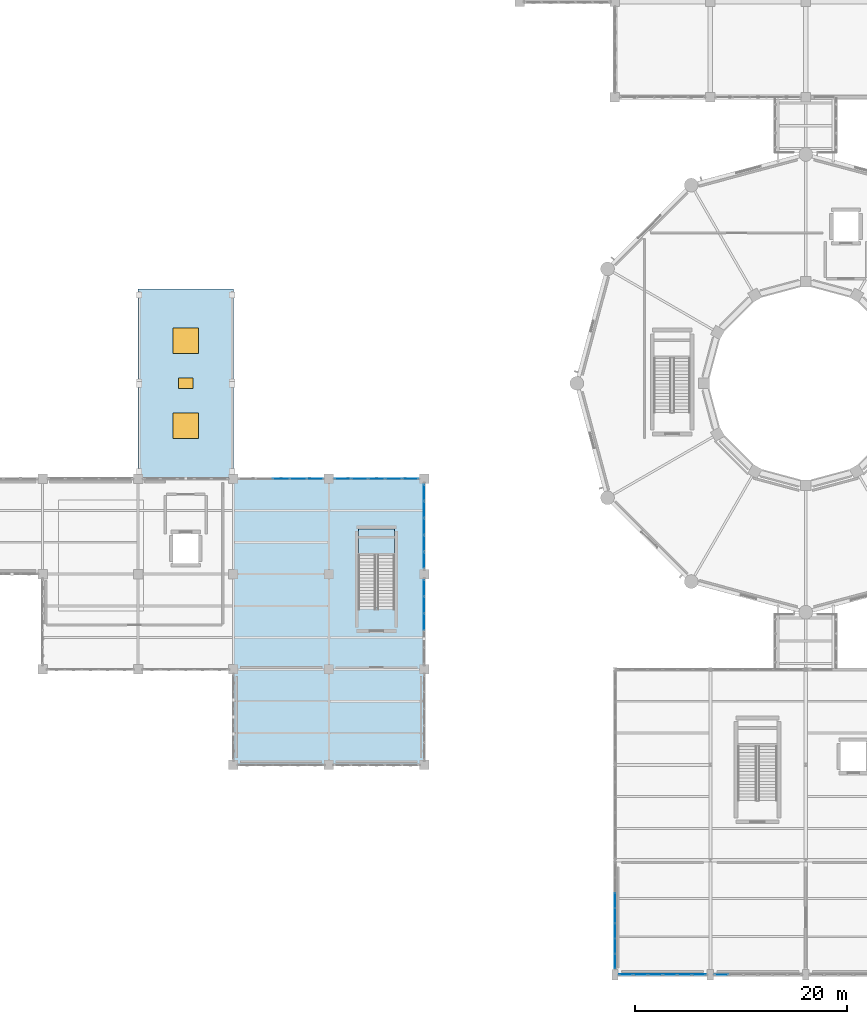
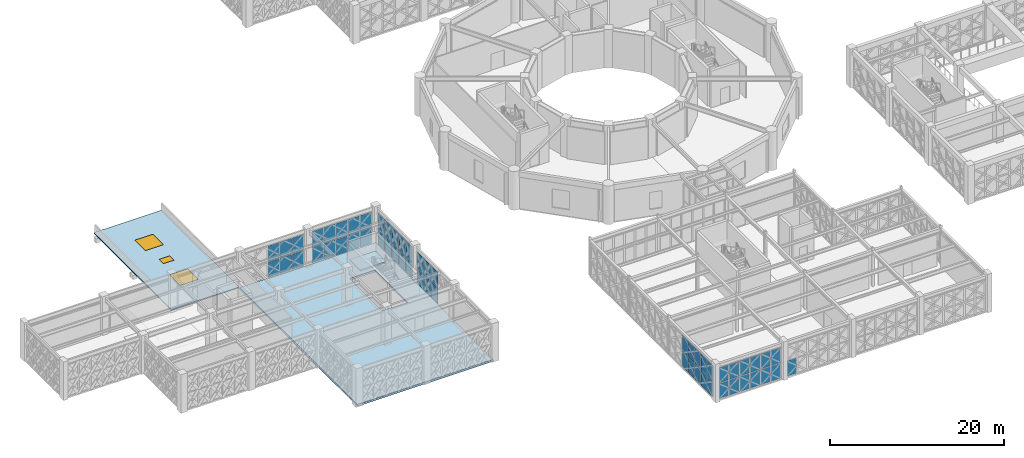
# One storey, part 119 of 155: 55 plates, 3 slabs, 2 windows, 1 door, 3 openings, 8 elements without a shape of their own.
"""IFC4 building model written with IfcOpenShell, lengths in metres."""

from ifc_helpers import new_model, si_unit, direction, frame, origin, origin_2d, place, context, subcontext, project, spatial, polyline, rectangle, outline, extrude, material, layer, layer_set, type_object, element, fill, aggregate, save


model = new_model("IFC4")

# Units and contexts
model_context = context("Model", 3, precision=1e-05, world=origin(), true_north=direction((0.0, 1.0)))
body_context = subcontext(model_context, "Body", "Model", "MODEL_VIEW")
ifc_project = project(units=[si_unit("LENGTHUNIT", "METRE"), si_unit("AREAUNIT", "SQUARE_METRE"), si_unit("VOLUMEUNIT", "CUBIC_METRE"), si_unit("PLANEANGLEUNIT", "RADIAN"), si_unit("MASSUNIT", "GRAM", prefix="KILO")], contexts=[model_context])

# Site, building, storey
site_placement = place(None, origin())
site = spatial("IfcSite", under=ifc_project, at=site_placement, CompositionType="ELEMENT")
building_placement = place(site_placement, origin())
building = spatial("IfcBuilding", under=site, at=building_placement, Name="Haizhuo Lancet Aquarium", CompositionType="ELEMENT")
storey_placement = place(building_placement, frame((0.0, 0.0, 10.800048828125)))
storey = spatial("IfcBuildingStorey", under=building, at=storey_placement, Name="L02", CompositionType="ELEMENT", Elevation=10.800048828125)

# Curtain wall, plates
ifc_material_1 = material(Name="Aluminium 6063-T6", Category="aluminium")
curtain_wall_type_1 = type_object("IfcCurtainWallType", Name="CWO-8010x4560", PredefinedType="NOTDEFINED", material=ifc_material_1)
curtain_wall_1_placement = place(storey_placement, origin())
curtain_wall_1 = element("IfcCurtainWall", 1, at=curtain_wall_1_placement, inside=storey, type_object=curtain_wall_type_1, Name="L02 curtain wall CW-V6-L02-217", PredefinedType="NOTDEFINED")
ifc_material_2 = material(Name="Laminated Low-E Glass", Category="glass")
ifc_layer_1 = layer(ifc_material_2, 0.028076171875)
ifc_layer_set_1 = layer_set([ifc_layer_1], Name="Laminated Low-E Glass")
plate_type_1 = type_object("IfcPlateType", Name="CW-PNL-1", PredefinedType="CURTAIN_PANEL", material=ifc_layer_set_1)
plate_1_placement = place(storey_placement, frame((-49.5, -9.0, 0.06494140625), z_axis=(0.0, 0.0, 1.0), x_axis=(1.0, 0.0, 0.0)))
plate_1 = element("IfcPlate", 2, at=plate_1_placement, type_object=plate_type_1, Name="CWO-80x45 panel 3.1", PredefinedType="CURTAIN_PANEL", context=body_context, shape_type="SweptSolid", body=[
    extrude(rectangle(XDim=1.537109375, YDim=0.028076171875, at=origin_2d()), origin(), (0.0, 0.0, 1.0), 2.181884765625),
])
plate_2_placement = place(storey_placement, frame((-49.5, -9.0, 2.31298828125), z_axis=(0.0, 0.0, 1.0), x_axis=(1.0, 0.0, 0.0)))
plate_2 = element("IfcPlate", 3, at=plate_2_placement, type_object=plate_type_1, Name="CWO-80x45 panel 3.2", PredefinedType="CURTAIN_PANEL", context=body_context, shape_type="SweptSolid", body=[
    extrude(rectangle(XDim=1.537109375, YDim=0.028076171875, at=origin_2d()), origin(), (0.0, 0.0, 1.0), 2.181884765625),
])
plate_3_placement = place(storey_placement, frame((-47.89794921875, -9.0, 0.06494140625), z_axis=(0.0, 0.0, 1.0), x_axis=(1.0, 0.0, 0.0)))
plate_3 = element("IfcPlate", 4, at=plate_3_placement, type_object=plate_type_1, Name="CWO-80x45 panel 4.1", PredefinedType="CURTAIN_PANEL", context=body_context, shape_type="SweptSolid", body=[
    extrude(rectangle(XDim=1.537109375, YDim=0.028076171875, at=origin_2d()), origin(), (0.0, 0.0, 1.0), 2.181884765625),
])
plate_4_placement = place(storey_placement, frame((-47.89794921875, -9.0, 2.31298828125), z_axis=(0.0, 0.0, 1.0), x_axis=(1.0, 0.0, 0.0)))
plate_4 = element("IfcPlate", 5, at=plate_4_placement, type_object=plate_type_1, Name="CWO-80x45 panel 4.2", PredefinedType="CURTAIN_PANEL", context=body_context, shape_type="SweptSolid", body=[
    extrude(rectangle(XDim=1.537109375, YDim=0.028076171875, at=origin_2d()), origin(), (0.0, 0.0, 1.0), 2.181884765625),
])
plate_5_placement = place(storey_placement, frame((-46.31201171875, -9.0, 0.06494140625), z_axis=(0.0, 0.0, 1.0), x_axis=(1.0, 0.0, 0.0)))
plate_5 = element("IfcPlate", 6, at=plate_5_placement, type_object=plate_type_1, Name="CWO-80x45 panel 5.1", PredefinedType="CURTAIN_PANEL", context=body_context, shape_type="SweptSolid", body=[
    extrude(rectangle(XDim=1.5048828125, YDim=0.028076171875, at=origin_2d()), origin(), (0.0, 0.0, 1.0), 2.181884765625),
])
plate_6_placement = place(storey_placement, frame((-46.31201171875, -9.0, 2.31298828125), z_axis=(0.0, 0.0, 1.0), x_axis=(1.0, 0.0, 0.0)))
plate_6 = element("IfcPlate", 7, at=plate_6_placement, type_object=plate_type_1, Name="CWO-80x45 panel 5.2", PredefinedType="CURTAIN_PANEL", context=body_context, shape_type="SweptSolid", body=[
    extrude(rectangle(XDim=1.5048828125, YDim=0.028076171875, at=origin_2d()), origin(), (0.0, 0.0, 1.0), 2.181884765625),
])
aggregate(curtain_wall_1, [plate_1, plate_2, plate_3, plate_4, plate_5, plate_6])

# Curtain wall, plate
curtain_wall_type_2 = type_object("IfcCurtainWallType", Name="CWO-8310x4460", PredefinedType="NOTDEFINED", material=ifc_material_1)
curtain_wall_2_placement = place(storey_placement, origin())
curtain_wall_2 = element("IfcCurtainWall", 8, at=curtain_wall_2_placement, inside=storey, type_object=curtain_wall_type_2, Name="L02 curtain wall CW-V4-L02-110", PredefinedType="NOTDEFINED")
ifc_layer_2 = layer(ifc_material_2, 0.033935546875)
ifc_layer_set_2 = layer_set([ifc_layer_2], Name="Laminated Low-E Glass")
plate_type_2 = type_object("IfcPlateType", Name="CW-PNL-2", PredefinedType="CURTAIN_PANEL", material=ifc_layer_set_2)
plate_7_placement = place(storey_placement, frame((-7.944091796875, -55.800048828125, 0.07470703125), z_axis=(0.0, 0.0, 1.0), x_axis=(-1.0, 0.0, 0.0)))
plate_7 = element("IfcPlate", 9, at=plate_7_placement, type_object=plate_type_2, Name="CWO-83x44 panel 6.1", PredefinedType="CURTAIN_PANEL", context=body_context, shape_type="SweptSolid", body=[
    extrude(rectangle(XDim=1.27294921875, YDim=0.033935546875, at=origin_2d()), origin(), (0.0, 0.0, 1.0), 2.118896484375),
])
aggregate(curtain_wall_2, [plate_7])

# Curtain wall, plates
curtain_wall_3_placement = place(storey_placement, origin())
curtain_wall_3 = element("IfcCurtainWall", 10, at=curtain_wall_3_placement, inside=storey, type_object=curtain_wall_type_1, Name="L02 curtain wall CW-V6-L02-218", PredefinedType="NOTDEFINED")
plate_8_placement = place(storey_placement, frame((-43.68505859375, -9.0, 0.074951171875), z_axis=(0.0, 0.0, 1.0), x_axis=(1.0, 0.0, 0.0)))
plate_8 = element("IfcPlate", 11, at=plate_8_placement, type_object=plate_type_2, Name="CWO-80x45 panel 1.1", PredefinedType="CURTAIN_PANEL", context=body_context, shape_type="SweptSolid", body=[
    extrude(rectangle(XDim=1.489990234375, YDim=0.033935546875, at=origin_2d()), origin(), (0.0, 0.0, 1.0), 2.16796875),
])
plate_9_placement = place(storey_placement, frame((-43.68505859375, -9.0, 2.31689453125), z_axis=(0.0, 0.0, 1.0), x_axis=(1.0, 0.0, 0.0)))
plate_9 = element("IfcPlate", 12, at=plate_9_placement, type_object=plate_type_2, Name="CWO-80x45 panel 1.2", PredefinedType="CURTAIN_PANEL", context=body_context, shape_type="SweptSolid", body=[
    extrude(rectangle(XDim=1.489990234375, YDim=0.033935546875, at=origin_2d()), origin(), (0.0, 0.0, 1.0), 2.16796875),
])
plate_10_placement = place(storey_placement, frame((-42.10205078125, -9.0, 0.074951171875), z_axis=(0.0, 0.0, 1.0), x_axis=(1.0, 0.0, 0.0)))
plate_10 = element("IfcPlate", 13, at=plate_10_placement, type_object=plate_type_2, Name="CWO-80x45 panel 2.1", PredefinedType="CURTAIN_PANEL", context=body_context, shape_type="SweptSolid", body=[
    extrude(rectangle(XDim=1.527099609375, YDim=0.033935546875, at=origin_2d()), origin(), (0.0, 0.0, 1.0), 2.16796875),
])
plate_11_placement = place(storey_placement, frame((-42.10205078125, -9.0, 2.31689453125), z_axis=(0.0, 0.0, 1.0), x_axis=(1.0, 0.0, 0.0)))
plate_11 = element("IfcPlate", 14, at=plate_11_placement, type_object=plate_type_2, Name="CWO-80x45 panel 2.2", PredefinedType="CURTAIN_PANEL", context=body_context, shape_type="SweptSolid", body=[
    extrude(rectangle(XDim=1.527099609375, YDim=0.033935546875, at=origin_2d()), origin(), (0.0, 0.0, 1.0), 2.16796875),
])
plate_12_placement = place(storey_placement, frame((-40.5, -9.0, 0.074951171875), z_axis=(0.0, 0.0, 1.0), x_axis=(1.0, 0.0, 0.0)))
plate_12 = element("IfcPlate", 15, at=plate_12_placement, type_object=plate_type_2, Name="CWO-80x45 panel 3.1", PredefinedType="CURTAIN_PANEL", context=body_context, shape_type="SweptSolid", body=[
    extrude(rectangle(XDim=1.527099609375, YDim=0.033935546875, at=origin_2d()), origin(), (0.0, 0.0, 1.0), 2.16796875),
])
plate_13_placement = place(storey_placement, frame((-40.5, -9.0, 2.31689453125), z_axis=(0.0, 0.0, 1.0), x_axis=(1.0, 0.0, 0.0)))
plate_13 = element("IfcPlate", 16, at=plate_13_placement, type_object=plate_type_2, Name="CWO-80x45 panel 3.2", PredefinedType="CURTAIN_PANEL", context=body_context, shape_type="SweptSolid", body=[
    extrude(rectangle(XDim=1.527099609375, YDim=0.033935546875, at=origin_2d()), origin(), (0.0, 0.0, 1.0), 2.16796875),
])
plate_14_placement = place(storey_placement, frame((-38.89794921875, -9.0, 0.074951171875), z_axis=(0.0, 0.0, 1.0), x_axis=(1.0, 0.0, 0.0)))
plate_14 = element("IfcPlate", 17, at=plate_14_placement, type_object=plate_type_2, Name="CWO-80x45 panel 4.1", PredefinedType="CURTAIN_PANEL", context=body_context, shape_type="SweptSolid", body=[
    extrude(rectangle(XDim=1.527099609375, YDim=0.033935546875, at=origin_2d()), origin(), (0.0, 0.0, 1.0), 2.16796875),
])
plate_15_placement = place(storey_placement, frame((-38.89794921875, -9.0, 2.31689453125), z_axis=(0.0, 0.0, 1.0), x_axis=(1.0, 0.0, 0.0)))
plate_15 = element("IfcPlate", 18, at=plate_15_placement, type_object=plate_type_2, Name="CWO-80x45 panel 4.2", PredefinedType="CURTAIN_PANEL", context=body_context, shape_type="SweptSolid", body=[
    extrude(rectangle(XDim=1.527099609375, YDim=0.033935546875, at=origin_2d()), origin(), (0.0, 0.0, 1.0), 2.16796875),
])
plate_16_placement = place(storey_placement, frame((-37.31494140625, -9.0, 0.074951171875), z_axis=(0.0, 0.0, 1.0), x_axis=(1.0, 0.0, 0.0)))
plate_16 = element("IfcPlate", 19, at=plate_16_placement, type_object=plate_type_2, Name="CWO-80x45 panel 5.1", PredefinedType="CURTAIN_PANEL", context=body_context, shape_type="SweptSolid", body=[
    extrude(rectangle(XDim=1.489990234375, YDim=0.033935546875, at=origin_2d()), origin(), (0.0, 0.0, 1.0), 2.16796875),
])
plate_17_placement = place(storey_placement, frame((-37.31494140625, -9.0, 2.31689453125), z_axis=(0.0, 0.0, 1.0), x_axis=(1.0, 0.0, 0.0)))
plate_17 = element("IfcPlate", 20, at=plate_17_placement, type_object=plate_type_2, Name="CWO-80x45 panel 5.2", PredefinedType="CURTAIN_PANEL", context=body_context, shape_type="SweptSolid", body=[
    extrude(rectangle(XDim=1.489990234375, YDim=0.033935546875, at=origin_2d()), origin(), (0.0, 0.0, 1.0), 2.16796875),
])
aggregate(curtain_wall_3, [plate_8, plate_9, plate_10, plate_11, plate_12, plate_13, plate_14, plate_15, plate_16, plate_17])

curtain_wall_4_placement = place(storey_placement, origin())
curtain_wall_4 = element("IfcCurtainWall", 21, at=curtain_wall_4_placement, inside=storey, type_object=curtain_wall_type_2, Name="L02 curtain wall CW-V4-L02-111", PredefinedType="NOTDEFINED")
ifc_layer_3 = layer(ifc_material_2, 0.0419921875)
ifc_layer_set_3 = layer_set([ifc_layer_3], Name="Laminated Low-E Glass")
plate_type_3 = type_object("IfcPlateType", Name="CW-PNL-3", PredefinedType="CURTAIN_PANEL", material=ifc_layer_set_3)
plate_18_placement = place(storey_placement, frame((-10.05810546875, -55.800048828125, 0.08056640625), z_axis=(0.0, 0.0, 1.0), x_axis=(-1.0, 0.0, 0.0)))
plate_18 = element("IfcPlate", 22, at=plate_18_placement, type_object=plate_type_3, Name="CWO-83x44 panel 1.1", PredefinedType="CURTAIN_PANEL", context=body_context, shape_type="SweptSolid", body=[
    extrude(rectangle(XDim=1.264892578125, YDim=0.0419921875, at=origin_2d()), origin(), (0.0, 0.0, 1.0), 2.111083984375),
])
plate_19_placement = place(storey_placement, frame((-10.05810546875, -55.800048828125, 2.271484375), z_axis=(0.0, 0.0, 1.0), x_axis=(-1.0, 0.0, 0.0)))
plate_19 = element("IfcPlate", 23, at=plate_19_placement, type_object=plate_type_3, Name="CWO-83x44 panel 1.2", PredefinedType="CURTAIN_PANEL", context=body_context, shape_type="SweptSolid", body=[
    extrude(rectangle(XDim=1.264892578125, YDim=0.0419921875, at=origin_2d()), origin(), (0.0, 0.0, 1.0), 2.111083984375),
])
plate_20_placement = place(storey_placement, frame((-11.423095703125, -55.800048828125, 0.08056640625), z_axis=(0.0, 0.0, 1.0), x_axis=(-1.0, 0.0, 0.0)))
plate_20 = element("IfcPlate", 24, at=plate_20_placement, type_object=plate_type_3, Name="CWO-83x44 panel 2.1", PredefinedType="CURTAIN_PANEL", context=body_context, shape_type="SweptSolid", body=[
    extrude(rectangle(XDim=1.304931640625, YDim=0.0419921875, at=origin_2d()), origin(), (0.0, 0.0, 1.0), 2.111083984375),
])
plate_21_placement = place(storey_placement, frame((-11.423095703125, -55.800048828125, 2.271484375), z_axis=(0.0, 0.0, 1.0), x_axis=(-1.0, 0.0, 0.0)))
plate_21 = element("IfcPlate", 25, at=plate_21_placement, type_object=plate_type_3, Name="CWO-83x44 panel 2.2", PredefinedType="CURTAIN_PANEL", context=body_context, shape_type="SweptSolid", body=[
    extrude(rectangle(XDim=1.304931640625, YDim=0.0419921875, at=origin_2d()), origin(), (0.0, 0.0, 1.0), 2.111083984375),
])
plate_22_placement = place(storey_placement, frame((-12.80810546875, -55.800048828125, 0.08056640625), z_axis=(0.0, 0.0, 1.0), x_axis=(-1.0, 0.0, 0.0)))
plate_22 = element("IfcPlate", 26, at=plate_22_placement, type_object=plate_type_3, Name="CWO-83x44 panel 3.1", PredefinedType="CURTAIN_PANEL", context=body_context, shape_type="SweptSolid", body=[
    extrude(rectangle(XDim=1.304931640625, YDim=0.0419921875, at=origin_2d()), origin(), (0.0, 0.0, 1.0), 2.111083984375),
])
plate_23_placement = place(storey_placement, frame((-12.80810546875, -55.800048828125, 2.271484375), z_axis=(0.0, 0.0, 1.0), x_axis=(-1.0, 0.0, 0.0)))
plate_23 = element("IfcPlate", 27, at=plate_23_placement, type_object=plate_type_3, Name="CWO-83x44 panel 3.2", PredefinedType="CURTAIN_PANEL", context=body_context, shape_type="SweptSolid", body=[
    extrude(rectangle(XDim=1.304931640625, YDim=0.0419921875, at=origin_2d()), origin(), (0.0, 0.0, 1.0), 2.111083984375),
])
plate_24_placement = place(storey_placement, frame((-14.193115234375, -55.800048828125, 0.08056640625), z_axis=(0.0, 0.0, 1.0), x_axis=(-1.0, 0.0, 0.0)))
plate_24 = element("IfcPlate", 28, at=plate_24_placement, type_object=plate_type_3, Name="CWO-83x44 panel 4.1", PredefinedType="CURTAIN_PANEL", context=body_context, shape_type="SweptSolid", body=[
    extrude(rectangle(XDim=1.304931640625, YDim=0.0419921875, at=origin_2d()), origin(), (0.0, 0.0, 1.0), 2.111083984375),
])
plate_25_placement = place(storey_placement, frame((-14.193115234375, -55.800048828125, 2.271484375), z_axis=(0.0, 0.0, 1.0), x_axis=(-1.0, 0.0, 0.0)))
plate_25 = element("IfcPlate", 29, at=plate_25_placement, type_object=plate_type_3, Name="CWO-83x44 panel 4.2", PredefinedType="CURTAIN_PANEL", context=body_context, shape_type="SweptSolid", body=[
    extrude(rectangle(XDim=1.304931640625, YDim=0.0419921875, at=origin_2d()), origin(), (0.0, 0.0, 1.0), 2.111083984375),
])
plate_26_placement = place(storey_placement, frame((-15.577880859375, -55.800048828125, 0.08056640625), z_axis=(0.0, 0.0, 1.0), x_axis=(-1.0, 0.0, 0.0)))
plate_26 = element("IfcPlate", 30, at=plate_26_placement, type_object=plate_type_3, Name="CWO-83x44 panel 5.1", PredefinedType="CURTAIN_PANEL", context=body_context, shape_type="SweptSolid", body=[
    extrude(rectangle(XDim=1.304931640625, YDim=0.0419921875, at=origin_2d()), origin(), (0.0, 0.0, 1.0), 2.111083984375),
])
plate_27_placement = place(storey_placement, frame((-15.577880859375, -55.800048828125, 2.271484375), z_axis=(0.0, 0.0, 1.0), x_axis=(-1.0, 0.0, 0.0)))
plate_27 = element("IfcPlate", 31, at=plate_27_placement, type_object=plate_type_3, Name="CWO-83x44 panel 5.2", PredefinedType="CURTAIN_PANEL", context=body_context, shape_type="SweptSolid", body=[
    extrude(rectangle(XDim=1.304931640625, YDim=0.0419921875, at=origin_2d()), origin(), (0.0, 0.0, 1.0), 2.111083984375),
])
plate_28_placement = place(storey_placement, frame((-16.943115234375, -55.800048828125, 0.08056640625), z_axis=(0.0, 0.0, 1.0), x_axis=(-1.0, 0.0, 0.0)))
plate_28 = element("IfcPlate", 32, at=plate_28_placement, type_object=plate_type_3, Name="CWO-83x44 panel 6.1", PredefinedType="CURTAIN_PANEL", context=body_context, shape_type="SweptSolid", body=[
    extrude(rectangle(XDim=1.264892578125, YDim=0.0419921875, at=origin_2d()), origin(), (0.0, 0.0, 1.0), 2.111083984375),
])
plate_29_placement = place(storey_placement, frame((-16.943115234375, -55.800048828125, 2.271484375), z_axis=(0.0, 0.0, 1.0), x_axis=(-1.0, 0.0, 0.0)))
plate_29 = element("IfcPlate", 33, at=plate_29_placement, type_object=plate_type_3, Name="CWO-83x44 panel 6.2", PredefinedType="CURTAIN_PANEL", context=body_context, shape_type="SweptSolid", body=[
    extrude(rectangle(XDim=1.264892578125, YDim=0.0419921875, at=origin_2d()), origin(), (0.0, 0.0, 1.0), 2.111083984375),
])
aggregate(curtain_wall_4, [plate_18, plate_19, plate_20, plate_21, plate_22, plate_23, plate_24, plate_25, plate_26, plate_27, plate_28, plate_29])

curtain_wall_type_3 = type_object("IfcCurtainWallType", Name="CWD-8010x4560", PredefinedType="NOTDEFINED", material=ifc_material_1)
curtain_wall_5_placement = place(storey_placement, origin())
curtain_wall_5 = element("IfcCurtainWall", 34, at=curtain_wall_5_placement, inside=storey, type_object=curtain_wall_type_3, Name="L02 curtain wall CW-V6-L02-219", PredefinedType="NOTDEFINED")
plate_30_placement = place(storey_placement, frame((-36.0, -10.31591796875, 0.080078125), z_axis=(0.0, 0.0, 1.0), x_axis=(0.0, -1.0, 0.0)))
plate_30 = element("IfcPlate", 35, at=plate_30_placement, type_object=plate_type_3, Name="CWD-80x45 panel 1.1", PredefinedType="CURTAIN_PANEL", context=body_context, shape_type="SweptSolid", body=[
    extrude(rectangle(XDim=1.48193359375, YDim=0.0419921875, at=origin_2d()), origin(), (0.0, 0.0, 1.0), 2.159912109375),
])
plate_31_placement = place(storey_placement, frame((-36.0, -10.31591796875, 2.31982421875), z_axis=(0.0, 0.0, 1.0), x_axis=(0.0, -1.0, 0.0)))
plate_31 = element("IfcPlate", 36, at=plate_31_placement, type_object=plate_type_3, Name="CWD-80x45 panel 1.2", PredefinedType="CURTAIN_PANEL", context=body_context, shape_type="SweptSolid", body=[
    extrude(rectangle(XDim=1.48193359375, YDim=0.0419921875, at=origin_2d()), origin(), (0.0, 0.0, 1.0), 2.159912109375),
])
plate_32_placement = place(storey_placement, frame((-36.0, -11.89794921875, 0.080078125), z_axis=(0.0, 0.0, 1.0), x_axis=(0.0, -1.0, 0.0)))
plate_32 = element("IfcPlate", 37, at=plate_32_placement, type_object=plate_type_3, Name="CWD-80x45 panel 2.1", PredefinedType="CURTAIN_PANEL", context=body_context, shape_type="SweptSolid", body=[
    extrude(rectangle(XDim=1.52197265625, YDim=0.0419921875, at=origin_2d()), origin(), (0.0, 0.0, 1.0), 2.159912109375),
])
plate_33_placement = place(storey_placement, frame((-36.0, -11.89794921875, 2.31982421875), z_axis=(0.0, 0.0, 1.0), x_axis=(0.0, -1.0, 0.0)))
plate_33 = element("IfcPlate", 38, at=plate_33_placement, type_object=plate_type_3, Name="CWD-80x45 panel 2.2", PredefinedType="CURTAIN_PANEL", context=body_context, shape_type="SweptSolid", body=[
    extrude(rectangle(XDim=1.52197265625, YDim=0.0419921875, at=origin_2d()), origin(), (0.0, 0.0, 1.0), 2.159912109375),
])
plate_34_placement = place(storey_placement, frame((-36.0, -13.5, 0.080078125), z_axis=(0.0, 0.0, 1.0), x_axis=(0.0, -1.0, 0.0)))
plate_34 = element("IfcPlate", 39, at=plate_34_placement, type_object=plate_type_3, Name="CWD-80x45 panel 3.1", PredefinedType="CURTAIN_PANEL", context=body_context, shape_type="SweptSolid", body=[
    extrude(rectangle(XDim=1.52197265625, YDim=0.0419921875, at=origin_2d()), origin(), (0.0, 0.0, 1.0), 2.159912109375),
])
plate_35_placement = place(storey_placement, frame((-36.0, -13.5, 2.31982421875), z_axis=(0.0, 0.0, 1.0), x_axis=(0.0, -1.0, 0.0)))
plate_35 = element("IfcPlate", 40, at=plate_35_placement, type_object=plate_type_3, Name="CWD-80x45 panel 3.2", PredefinedType="CURTAIN_PANEL", context=body_context, shape_type="SweptSolid", body=[
    extrude(rectangle(XDim=1.52197265625, YDim=0.0419921875, at=origin_2d()), origin(), (0.0, 0.0, 1.0), 2.159912109375),
])
plate_36_placement = place(storey_placement, frame((-36.0, -15.10205078125, 0.080078125), z_axis=(0.0, 0.0, 1.0), x_axis=(0.0, -1.0, 0.0)))
plate_36 = element("IfcPlate", 41, at=plate_36_placement, type_object=plate_type_3, Name="CWD-80x45 panel 4.1", PredefinedType="CURTAIN_PANEL", context=body_context, shape_type="SweptSolid", body=[
    extrude(rectangle(XDim=1.52197265625, YDim=0.0419921875, at=origin_2d()), origin(), (0.0, 0.0, 1.0), 2.159912109375),
])
plate_37_placement = place(storey_placement, frame((-36.0, -15.10205078125, 2.31982421875), z_axis=(0.0, 0.0, 1.0), x_axis=(0.0, -1.0, 0.0)))
plate_37 = element("IfcPlate", 42, at=plate_37_placement, type_object=plate_type_3, Name="CWD-80x45 panel 4.2", PredefinedType="CURTAIN_PANEL", context=body_context, shape_type="SweptSolid", body=[
    extrude(rectangle(XDim=1.52197265625, YDim=0.0419921875, at=origin_2d()), origin(), (0.0, 0.0, 1.0), 2.159912109375),
])
plate_38_placement = place(storey_placement, frame((-36.0, -16.68408203125, 0.080078125), z_axis=(0.0, 0.0, 1.0), x_axis=(0.0, -1.0, 0.0)))
plate_38 = element("IfcPlate", 43, at=plate_38_placement, type_object=plate_type_3, Name="CWD-80x45 panel 5.1", PredefinedType="CURTAIN_PANEL", context=body_context, shape_type="SweptSolid", body=[
    extrude(rectangle(XDim=1.48193359375, YDim=0.0419921875, at=origin_2d()), origin(), (0.0, 0.0, 1.0), 2.159912109375),
])
plate_39_placement = place(storey_placement, frame((-36.0, -16.68408203125, 2.31982421875), z_axis=(0.0, 0.0, 1.0), x_axis=(0.0, -1.0, 0.0)))
plate_39 = element("IfcPlate", 44, at=plate_39_placement, type_object=plate_type_3, Name="CWD-80x45 panel 5.2", PredefinedType="CURTAIN_PANEL", context=body_context, shape_type="SweptSolid", body=[
    extrude(rectangle(XDim=1.48193359375, YDim=0.0419921875, at=origin_2d()), origin(), (0.0, 0.0, 1.0), 2.159912109375),
])
aggregate(curtain_wall_5, [plate_30, plate_31, plate_32, plate_33, plate_34, plate_35, plate_36, plate_37, plate_38, plate_39])

curtain_wall_type_4 = type_object("IfcCurtainWallType", Name="CWO-10060x4560", PredefinedType="NOTDEFINED", material=ifc_material_1)
curtain_wall_6_placement = place(storey_placement, origin())
curtain_wall_6 = element("IfcCurtainWall", 45, at=curtain_wall_6_placement, inside=storey, type_object=curtain_wall_type_4, Name="L02 curtain wall CW-V4-L02-112", PredefinedType="NOTDEFINED")
ifc_layer_4 = layer(ifc_material_2, 0.052001953125)
ifc_layer_set_4 = layer_set([ifc_layer_4], Name="Laminated Low-E Glass")
plate_type_4 = type_object("IfcPlateType", Name="CW-PNL-4", PredefinedType="CURTAIN_PANEL", material=ifc_layer_set_4)
plate_40_placement = place(storey_placement, frame((-18.0, -54.52001953125, 0.0654296875), z_axis=(0.0, 0.0, 1.0), x_axis=(0.0, 1.0, 0.0)))
plate_40 = element("IfcPlate", 46, at=plate_40_placement, type_object=plate_type_4, Name="CWO-100x45 panel 1.1", PredefinedType="CURTAIN_PANEL", context=body_context, shape_type="SweptSolid", body=[
    extrude(rectangle(XDim=1.340087890625, YDim=0.052001953125, at=origin_2d()), origin(), (0.0, 0.0, 1.0), 2.18310546875),
])
plate_41_placement = place(storey_placement, frame((-18.0, -54.52001953125, 2.3134765625), z_axis=(0.0, 0.0, 1.0), x_axis=(0.0, 1.0, 0.0)))
plate_41 = element("IfcPlate", 47, at=plate_41_placement, type_object=plate_type_4, Name="CWO-100x45 panel 1.2", PredefinedType="CURTAIN_PANEL", context=body_context, shape_type="SweptSolid", body=[
    extrude(rectangle(XDim=1.340087890625, YDim=0.052001953125, at=origin_2d()), origin(), (0.0, 0.0, 1.0), 2.18310546875),
])
plate_42_placement = place(storey_placement, frame((-18.0, -53.09912109375, 0.0654296875), z_axis=(0.0, 0.0, 1.0), x_axis=(0.0, 1.0, 0.0)))
plate_42 = element("IfcPlate", 48, at=plate_42_placement, type_object=plate_type_4, Name="CWO-100x45 panel 2.1", PredefinedType="CURTAIN_PANEL", context=body_context, shape_type="SweptSolid", body=[
    extrude(rectangle(XDim=1.3720703125, YDim=0.052001953125, at=origin_2d()), origin(), (0.0, 0.0, 1.0), 2.18310546875),
])
plate_43_placement = place(storey_placement, frame((-18.0, -53.09912109375, 2.3134765625), z_axis=(0.0, 0.0, 1.0), x_axis=(0.0, 1.0, 0.0)))
plate_43 = element("IfcPlate", 49, at=plate_43_placement, type_object=plate_type_4, Name="CWO-100x45 panel 2.2", PredefinedType="CURTAIN_PANEL", context=body_context, shape_type="SweptSolid", body=[
    extrude(rectangle(XDim=1.3720703125, YDim=0.052001953125, at=origin_2d()), origin(), (0.0, 0.0, 1.0), 2.18310546875),
])
plate_44_placement = place(storey_placement, frame((-18.0, -51.662109375, 0.0654296875), z_axis=(0.0, 0.0, 1.0), x_axis=(0.0, 1.0, 0.0)))
plate_44 = element("IfcPlate", 50, at=plate_44_placement, type_object=plate_type_4, Name="CWO-100x45 panel 3.1", PredefinedType="CURTAIN_PANEL", context=body_context, shape_type="SweptSolid", body=[
    extrude(rectangle(XDim=1.3720703125, YDim=0.052001953125, at=origin_2d()), origin(), (0.0, 0.0, 1.0), 2.18310546875),
])
plate_45_placement = place(storey_placement, frame((-18.0, -51.662109375, 2.3134765625), z_axis=(0.0, 0.0, 1.0), x_axis=(0.0, 1.0, 0.0)))
plate_45 = element("IfcPlate", 51, at=plate_45_placement, type_object=plate_type_4, Name="CWO-100x45 panel 3.2", PredefinedType="CURTAIN_PANEL", context=body_context, shape_type="SweptSolid", body=[
    extrude(rectangle(XDim=1.3720703125, YDim=0.052001953125, at=origin_2d()), origin(), (0.0, 0.0, 1.0), 2.18310546875),
])
plate_46_placement = place(storey_placement, frame((-18.0, -50.22509765625, 0.0654296875), z_axis=(0.0, 0.0, 1.0), x_axis=(0.0, 1.0, 0.0)))
plate_46 = element("IfcPlate", 52, at=plate_46_placement, type_object=plate_type_4, Name="CWO-100x45 panel 4.1", PredefinedType="CURTAIN_PANEL", context=body_context, shape_type="SweptSolid", body=[
    extrude(rectangle(XDim=1.3720703125, YDim=0.052001953125, at=origin_2d()), origin(), (0.0, 0.0, 1.0), 2.18310546875),
])
plate_47_placement = place(storey_placement, frame((-18.0, -50.22509765625, 2.3134765625), z_axis=(0.0, 0.0, 1.0), x_axis=(0.0, 1.0, 0.0)))
plate_47 = element("IfcPlate", 53, at=plate_47_placement, type_object=plate_type_4, Name="CWO-100x45 panel 4.2", PredefinedType="CURTAIN_PANEL", context=body_context, shape_type="SweptSolid", body=[
    extrude(rectangle(XDim=1.3720703125, YDim=0.052001953125, at=origin_2d()), origin(), (0.0, 0.0, 1.0), 2.18310546875),
])
plate_48_placement = place(storey_placement, frame((-18.0, -48.7880859375, 0.0654296875), z_axis=(0.0, 0.0, 1.0), x_axis=(0.0, 1.0, 0.0)))
plate_48 = element("IfcPlate", 54, at=plate_48_placement, type_object=plate_type_4, Name="CWO-100x45 panel 5.1", PredefinedType="CURTAIN_PANEL", context=body_context, shape_type="SweptSolid", body=[
    extrude(rectangle(XDim=1.3720703125, YDim=0.052001953125, at=origin_2d()), origin(), (0.0, 0.0, 1.0), 2.18310546875),
])
plate_49_placement = place(storey_placement, frame((-18.0, -48.7880859375, 2.3134765625), z_axis=(0.0, 0.0, 1.0), x_axis=(0.0, 1.0, 0.0)))
plate_49 = element("IfcPlate", 55, at=plate_49_placement, type_object=plate_type_4, Name="CWO-100x45 panel 5.2", PredefinedType="CURTAIN_PANEL", context=body_context, shape_type="SweptSolid", body=[
    extrude(rectangle(XDim=1.3720703125, YDim=0.052001953125, at=origin_2d()), origin(), (0.0, 0.0, 1.0), 2.18310546875),
])
aggregate(curtain_wall_6, [plate_40, plate_41, plate_42, plate_43, plate_44, plate_45, plate_46, plate_47, plate_48, plate_49])

curtain_wall_7_placement = place(storey_placement, origin())
curtain_wall_7 = element("IfcCurtainWall", 56, at=curtain_wall_7_placement, inside=storey, type_object=curtain_wall_type_3, Name="L02 curtain wall CW-V6-L02-220", PredefinedType="NOTDEFINED")
plate_50_placement = place(storey_placement, frame((-36.0, -19.31201171875, 0.06494140625), z_axis=(0.0, 0.0, 1.0), x_axis=(0.0, -1.0, 0.0)))
plate_50 = element("IfcPlate", 57, at=plate_50_placement, type_object=plate_type_4, Name="CWD-80x45 panel 1.1", PredefinedType="CURTAIN_PANEL", context=body_context, shape_type="SweptSolid", body=[
    extrude(rectangle(XDim=1.50390625, YDim=0.052001953125, at=origin_2d()), origin(), (0.0, 0.0, 1.0), 2.181884765625),
])
plate_51_placement = place(storey_placement, frame((-36.0, -19.31201171875, 2.31298828125), z_axis=(0.0, 0.0, 1.0), x_axis=(0.0, -1.0, 0.0)))
plate_51 = element("IfcPlate", 58, at=plate_51_placement, type_object=plate_type_4, Name="CWD-80x45 panel 1.2", PredefinedType="CURTAIN_PANEL", context=body_context, shape_type="SweptSolid", body=[
    extrude(rectangle(XDim=1.50390625, YDim=0.052001953125, at=origin_2d()), origin(), (0.0, 0.0, 1.0), 2.181884765625),
])
plate_52_placement = place(storey_placement, frame((-36.0, -20.89794921875, 0.06494140625), z_axis=(0.0, 0.0, 1.0), x_axis=(0.0, -1.0, 0.0)))
plate_52 = element("IfcPlate", 59, at=plate_52_placement, type_object=plate_type_4, Name="CWD-80x45 panel 2.1", PredefinedType="CURTAIN_PANEL", context=body_context, shape_type="SweptSolid", body=[
    extrude(rectangle(XDim=1.537109375, YDim=0.052001953125, at=origin_2d()), origin(), (0.0, 0.0, 1.0), 2.181884765625),
])
plate_53_placement = place(storey_placement, frame((-36.0, -20.89794921875, 2.31298828125), z_axis=(0.0, 0.0, 1.0), x_axis=(0.0, -1.0, 0.0)))
plate_53 = element("IfcPlate", 60, at=plate_53_placement, type_object=plate_type_4, Name="CWD-80x45 panel 2.2", PredefinedType="CURTAIN_PANEL", context=body_context, shape_type="SweptSolid", body=[
    extrude(rectangle(XDim=1.537109375, YDim=0.052001953125, at=origin_2d()), origin(), (0.0, 0.0, 1.0), 2.181884765625),
])
plate_54_placement = place(storey_placement, frame((-36.0, -22.5, 0.06494140625), z_axis=(0.0, 0.0, 1.0), x_axis=(0.0, -1.0, 0.0)))
plate_54 = element("IfcPlate", 61, at=plate_54_placement, type_object=plate_type_4, Name="CWD-80x45 panel 3.1", PredefinedType="CURTAIN_PANEL", context=body_context, shape_type="SweptSolid", body=[
    extrude(rectangle(XDim=1.537109375, YDim=0.052001953125, at=origin_2d()), origin(), (0.0, 0.0, 1.0), 2.181884765625),
])
plate_55_placement = place(storey_placement, frame((-36.0, -22.5, 2.31298828125), z_axis=(0.0, 0.0, 1.0), x_axis=(0.0, -1.0, 0.0)))
plate_55 = element("IfcPlate", 62, at=plate_55_placement, type_object=plate_type_4, Name="CWD-80x45 panel 3.2", PredefinedType="CURTAIN_PANEL", context=body_context, shape_type="SweptSolid", body=[
    extrude(rectangle(XDim=1.537109375, YDim=0.052001953125, at=origin_2d()), origin(), (0.0, 0.0, 1.0), 2.181884765625),
])
aggregate(curtain_wall_7, [plate_50, plate_51, plate_52, plate_53, plate_54, plate_55])

# Slab, openings, door, windows
ifc_material_3 = material(Name="Concrete C40/50", Category="concrete")
ifc_layer_5 = layer(ifc_material_3, 0.14990234375)
ifc_layer_set_5 = layer_set([ifc_layer_5], Name="Concrete C40/50")
slab_type_1 = type_object("IfcSlabType", Name="SLB-CANOPY-150", PredefinedType="ROOF", material=ifc_layer_set_5)
slab_1_placement = place(storey_placement, frame((0.0, 0.0, -0.150146484375)))
slab_1 = element("IfcSlab", 63, at=slab_1_placement, inside=storey, type_object=slab_type_1, Name="L02 structural slab SL-SB-01-RF-01", PredefinedType="ROOF", context=body_context, shape_type="SweptSolid", body=[
    extrude(outline(polyline([(-63.0, -8.8798828125), (-54.0, -8.8798828125), (-54.0, 8.8798828125), (-63.0, 8.8798828125), (-63.0, -8.8798828125)])), origin(), (0.0, 0.0, 1.0), 0.150146484375),
])
opening_1_placement = place(slab_1_placement, frame((-58.5, -4.0, 0.0)))
opening_1 = element("IfcOpeningElement", 64, at=opening_1_placement, cuts=slab_1, Name="Opening SK-01", PredefinedType="OPENING", context=body_context, shape_type="SweptSolid", body=[
    extrude(rectangle(XDim=2.39990234375, YDim=2.39990234375, at=origin_2d()), origin(), (0.0, 0.0, 1.0), 0.150146484375),
])
opening_2_placement = place(slab_1_placement, frame((-58.5, 4.0, 0.0)))
opening_2 = element("IfcOpeningElement", 65, at=opening_2_placement, cuts=slab_1, Name="Opening SK-01", PredefinedType="OPENING", context=body_context, shape_type="SweptSolid", body=[
    extrude(rectangle(XDim=2.39990234375, YDim=2.39990234375, at=origin_2d()), origin(), (0.0, 0.0, 1.0), 0.150146484375),
])
opening_3_placement = place(slab_1_placement, frame((-58.5, 0.0, 0.0)))
opening_3 = element("IfcOpeningElement", 66, at=opening_3_placement, cuts=slab_1, Name="Opening HD-02", PredefinedType="OPENING", context=body_context, shape_type="SweptSolid", body=[
    extrude(rectangle(XDim=1.39990234375, YDim=1.0, at=origin_2d()), origin(), (0.0, 0.0, 1.0), 0.150146484375),
])
ifc_material_4 = material(Name="Steel S355", Category="steel")
door_type = type_object("IfcDoorType", Name="EDR-HATCH-1400x1000", OperationType="NOTDEFINED", PredefinedType="TRAPDOOR", material=ifc_material_4)
door_placement = place(opening_3_placement, frame((0.0, 0.0, 0.10009765625)))
door = element("IfcDoor", 67, at=door_placement, inside=storey, type_object=door_type, Name="L02 roof opening HD-03", OperationType="SINGLE_SWING_LEFT", OverallHeight=1.0, OverallWidth=1.39990234375, PredefinedType="TRAPDOOR", context=body_context, shape_type="SweptSolid", body=[
    extrude(rectangle(XDim=1.39990234375, YDim=1.0, at=origin_2d()), origin(), (0.0, 0.0, 1.0), 0.050048828125),
])
fill(opening_3, door)
window_type = type_object("IfcWindowType", Name="WIN-SKY-2400x2400", PartitioningType="SINGLE_PANEL", PredefinedType="SKYLIGHT", material=ifc_material_2)
window_1_placement = place(opening_1_placement, frame((0.0, 0.0, 0.10009765625)))
window_1 = element("IfcWindow", 68, at=window_1_placement, inside=storey, type_object=window_type, Name="L02 roof opening SK-01", OverallHeight=2.39990234375, OverallWidth=2.39990234375, PartitioningType="SINGLE_PANEL", PredefinedType="SKYLIGHT", context=body_context, shape_type="SweptSolid", body=[
    extrude(rectangle(XDim=2.39990234375, YDim=2.39990234375, at=origin_2d()), origin(), (0.0, 0.0, 1.0), 0.050048828125),
])
fill(opening_1, window_1)
window_2_placement = place(opening_2_placement, frame((0.0, 0.0, 0.10009765625)))
window_2 = element("IfcWindow", 69, at=window_2_placement, inside=storey, type_object=window_type, Name="L02 roof opening SK-02", OverallHeight=2.39990234375, OverallWidth=2.39990234375, PartitioningType="SINGLE_PANEL", PredefinedType="SKYLIGHT", context=body_context, shape_type="SweptSolid", body=[
    extrude(rectangle(XDim=2.39990234375, YDim=2.39990234375, at=origin_2d()), origin(), (0.0, 0.0, 1.0), 0.050048828125),
])
fill(opening_2, window_2)

# Stair, slab
stair_type = type_object("IfcStairType", Name="STR-HT-1600-54", PredefinedType="HALF_TURN_STAIR", material=ifc_material_3)
stair_placement = place(storey_placement, origin())
stair = element("IfcStair", 70, at=stair_placement, inside=storey, type_object=stair_type, Name="L02 enclosed exit stair ST-09", PredefinedType="HALF_TURN_STAIR")
ifc_layer_6 = layer(ifc_material_3, 0.199951171875)
ifc_layer_set_6 = layer_set([ifc_layer_6], Name="Concrete C40/50")
slab_type_2 = type_object("IfcSlabType", Name="SLB-LND-1600", PredefinedType="LANDING", material=ifc_layer_set_6)
slab_2_placement = place(storey_placement, frame((0.0, 0.0, 2.5)))
slab_2 = element("IfcSlab", 71, at=slab_2_placement, type_object=slab_type_2, Name="ST-15 landing 1", PredefinedType="LANDING", context=body_context, shape_type="SweptSolid", body=[
    extrude(outline(polyline([(-38.800048828125, -16.25), (-38.800048828125, -13.75), (-42.199951171875, -13.75), (-42.199951171875, -16.25), (-38.800048828125, -16.25)])), origin(), (0.0, 0.0, 1.0), 0.199951171875),
])
aggregate(stair, [slab_2])

# Slab
ifc_layer_7 = layer(ifc_material_3, 0.260009765625)
ifc_layer_set_7 = layer_set([ifc_layer_7], Name="Concrete C40/50")
slab_type_3 = type_object("IfcSlabType", Name="SLB-UPPER-260", PredefinedType="FLOOR", material=ifc_layer_set_7)
slab_3_placement = place(storey_placement, frame((0.0, 0.0, -0.260009765625)))
element("IfcSlab", 72, at=slab_3_placement, inside=storey, type_object=slab_type_3, Name="L02 structural slab SL-L02-V6-02", PredefinedType="FLOOR", context=body_context, shape_type="SweptSolid", body=[
    extrude(outline(polyline([(-54.0, -9.0), (-54.0, -36.0), (-36.0, -36.0), (-36.0, -9.0), (-54.0, -9.0)]), holes=[polyline([(-38.800048828125, -13.75), (-42.199951171875, -13.75), (-42.199951171875, -21.169921875), (-38.800048828125, -21.169921875), (-38.800048828125, -13.75)])]), origin(), (0.0, 0.0, 1.0), 0.260009765625),
])

save(model, "model.ifc")
